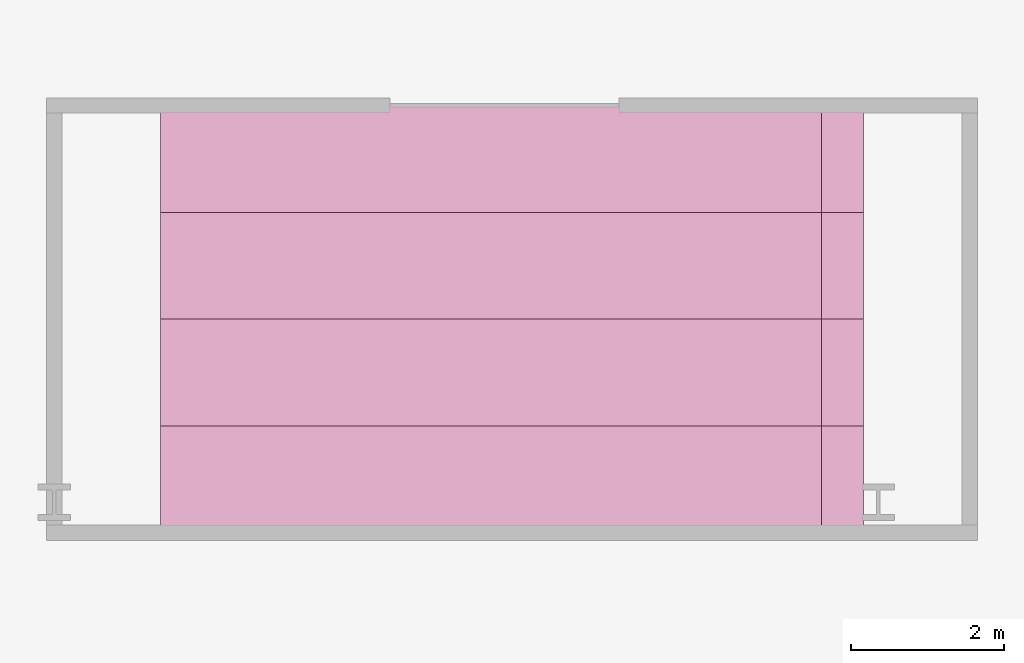
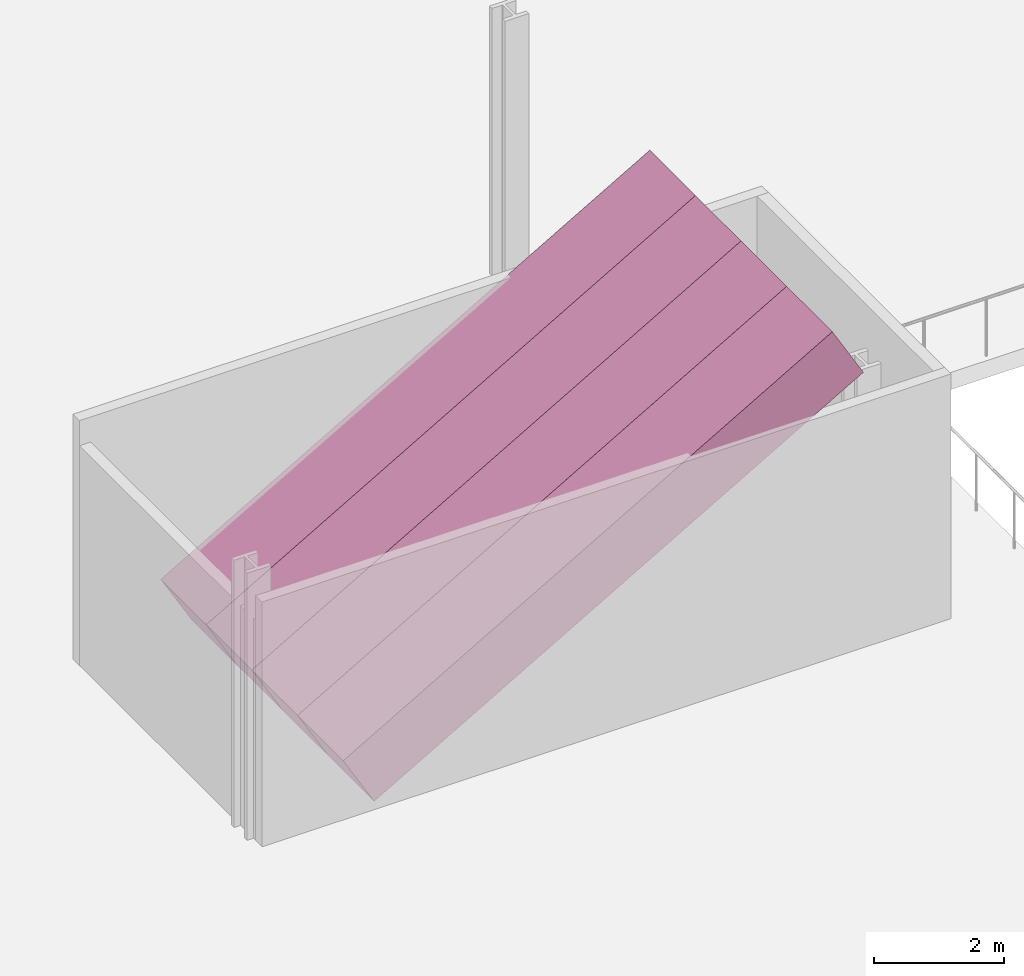
# One storey, part 19 of 19: 4 transport elements.
"""IFC4 building model written with IfcOpenShell, lengths in metres."""

from ifc_helpers import new_model, si_unit, direction, frame, origin, origin_2d, place, context, subcontext, project, spatial, rectangle, extrude, material, material_profile, profile_set, type_object, element, save


model = new_model("IFC4")

# Units and contexts
model_context = context("Model", 3, precision=1e-05, world=origin(), true_north=direction((0.0, 1.0)))
body_context = subcontext(model_context, "Body", "Model", "MODEL_VIEW")
ifc_project = project(units=[si_unit("LENGTHUNIT", "METRE"), si_unit("AREAUNIT", "SQUARE_METRE"), si_unit("VOLUMEUNIT", "CUBIC_METRE"), si_unit("PLANEANGLEUNIT", "RADIAN"), si_unit("MASSUNIT", "GRAM", prefix="KILO")], contexts=[model_context])

# Site, building, storey
site_placement = place(None, origin())
site = spatial("IfcSite", under=ifc_project, at=site_placement, CompositionType="ELEMENT")
building_placement = place(site_placement, origin())
building = spatial("IfcBuilding", under=site, at=building_placement, Name="Kheshtan School and Residences Tower", CompositionType="ELEMENT")
storey_placement = place(building_placement, frame((0.0, 0.0, -10.0)))
storey = spatial("IfcBuildingStorey", under=building, at=storey_placement, Name="B2", CompositionType="ELEMENT", Elevation=-10.0)

# Transport elements
ifc_material = material(Name="Stainless steel escalator truss", Category="steel")
ifc_material_profile = material_profile(ifc_material, rectangle(XDim=1.39990234375, YDim=1.10009765625, at=origin_2d()), Name="Escalator 1400 truss")
ifc_profile_set = profile_set([ifc_material_profile], Name="Stainless steel escalator truss")
transport_element_type = type_object("IfcTransportElementType", Name="Escalator 1400 truss", PredefinedType="ESCALATOR", material=ifc_profile_set)
for number, where, z_axis, x_axis, name in (
    (1, (81.669921875, 56.699951171875, 0.550048828125), (0.866022959057, 0.0, 0.500004234368), (0.0, 1.0, 0.0), "Escalator ES21 (up)"),
    (2, (81.669921875, 58.10009765625, 0.550048828125), (0.866022959057, 0.0, 0.500004234368), (0.0, 1.0, 0.0), "Escalator ES22 (down)"),
    (3, (81.669921875, 59.5, 0.550048828125), (0.866022959057, 0.0, 0.500004234368), (0.0, 1.0, 0.0), "Escalator ES23 (up)"),
    (4, (81.669921875, 60.89990234375, 0.550048828125), (0.866022959057, 0.0, 0.500004234368), (0.0, 1.0, 0.0), "Escalator ES24 (down)"),
):
    element("IfcTransportElement", number, at=place(storey_placement, frame(where, z_axis=z_axis, x_axis=x_axis)), inside=storey, type_object=transport_element_type, Name=name, PredefinedType="ESCALATOR", context=body_context, shape_type="SweptSolid", body=[
        extrude(rectangle(XDim=1.39990234375, YDim=1.10009765625, at=origin_2d()), origin(), (0.0, 0.0, 1.0), 10.0),
    ])

save(model, "model.ifc")
